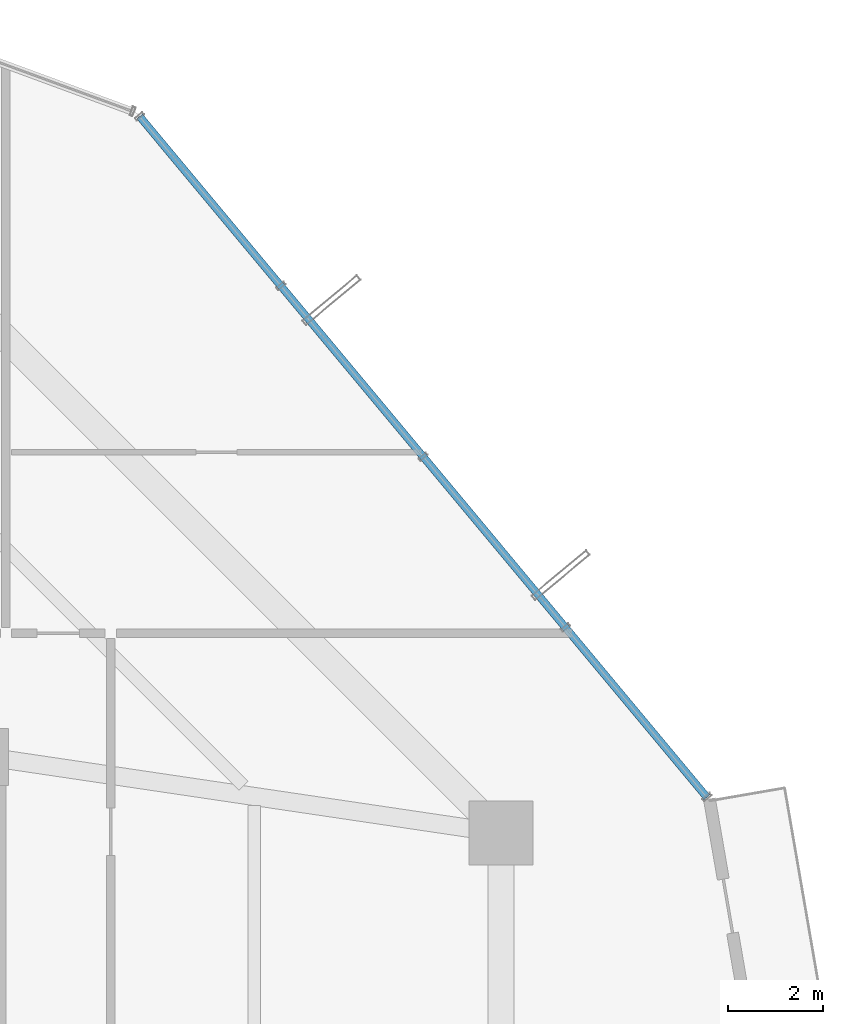
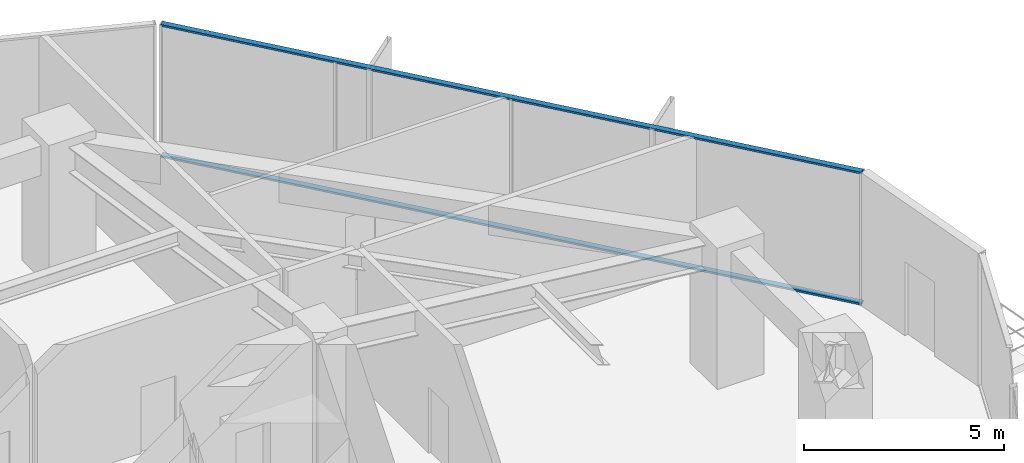
# One storey, part 28 of 35: 2 members, 1 element without a shape of its own.
"""IFC4 building model written with IfcOpenShell, lengths in metres."""

from ifc_helpers import new_model, si_unit, direction, frame, origin, origin_2d, place, context, subcontext, project, spatial, hollow_rectangle, extrude, source, transform, mapped, material, layer, layer_set, material_profile, profile_set, type_object, element, aggregate, save


model = new_model("IFC4")

# Units and contexts
model_context = context("Model", 3, precision=1e-05, world=origin(), true_north=direction((0.0, 1.0)))
body_context = subcontext(model_context, "Body", "Model", "MODEL_VIEW")
ifc_project = project(units=[si_unit("LENGTHUNIT", "METRE"), si_unit("AREAUNIT", "SQUARE_METRE"), si_unit("VOLUMEUNIT", "CUBIC_METRE"), si_unit("PLANEANGLEUNIT", "RADIAN"), si_unit("MASSUNIT", "GRAM", prefix="KILO")], contexts=[model_context])

# Site, building, storey
site_placement = place(None, origin())
site = spatial("IfcSite", under=ifc_project, at=site_placement, CompositionType="ELEMENT")
building_placement = place(site_placement, origin())
building = spatial("IfcBuilding", under=site, at=building_placement, Name="Veraguas Prism Commons", CompositionType="ELEMENT")
storey_placement = place(building_placement, frame((0.0, 0.0, 56.550048828125)))
storey = spatial("IfcBuildingStorey", under=building, at=storey_placement, Name="L15", CompositionType="ELEMENT", Elevation=56.550048828125)

# Curtain wall, members
ifc_material = material(Name="Anodised aluminium EN AW-6063 T6", Category="aluminium")
ifc_layer = layer(ifc_material, 0.199951171875, Name="Sky Lobby and Pool Acoustic Curtain Wall", Category="aluminium")
ifc_layer_set = layer_set([ifc_layer], Name="Anodised aluminium EN AW-6063 T6")
curtain_wall_type = type_object("IfcCurtainWallType", Name="Sky Lobby and Pool Acoustic Curtain Wall", PredefinedType="NOTDEFINED", material=ifc_layer_set)
curtain_wall_placement = place(storey_placement, origin())
curtain_wall = element("IfcCurtainWall", 1, at=curtain_wall_placement, inside=storey, type_object=curtain_wall_type, Name="Tower Facade Curtain Wall L15-F1", PredefinedType="NOTDEFINED")
ifc_material_profile = material_profile(ifc_material, hollow_rectangle(XDim=0.06005859375, YDim=0.159912109375, WallThickness=0.0029296875, at=origin_2d()), Name="AL60X160X3")
ifc_profile_set = profile_set([ifc_material_profile], Name="Anodised aluminium EN AW-6063 T6")
member_type = type_object("IfcMemberType", Name="Curtain Wall Transom Heavy AL 60x160x3", PredefinedType="USERDEFINED", material=ifc_profile_set)
shared_shape = source(origin(), body_context, "Body", "SweptSolid", [
    extrude(hollow_rectangle(XDim=0.06005859375, YDim=0.159912109375, WallThickness=0.0029296875, at=origin_2d()), origin(), (0.0, 0.0, 1.0), 18.618896484375),
])
member_1_placement = place(storey_placement, frame((45.927490234375, 30.152099609375, 0.030029296875), z_axis=(-0.640101851442, 0.768290062268, 0.0), x_axis=(0.0, 0.0, 1.0)))
member_1 = element("IfcMember", 2, at=member_1_placement, type_object=member_type, Name="CW-SKY Transom 1", ObjectType="TRANSOM", PredefinedType="USERDEFINED", context=body_context, shape_type="MappedRepresentation", body=[
    mapped(shared_shape, transform((0.0, 0.0, 0.0), scale=1.0)),
])
member_2_placement = place(storey_placement, frame((45.927490234375, 30.152099609375, 4.02001953125), z_axis=(-0.640101851442, 0.768290062268, 0.0), x_axis=(0.0, 0.0, 1.0)))
member_2 = element("IfcMember", 3, at=member_2_placement, type_object=member_type, Name="CW-SKY Transom 2", ObjectType="TRANSOM", PredefinedType="USERDEFINED", context=body_context, shape_type="MappedRepresentation", body=[
    mapped(shared_shape, transform((0.0, 0.0, 0.0), scale=1.0)),
])
aggregate(curtain_wall, [member_1, member_2])

save(model, "model.ifc")
